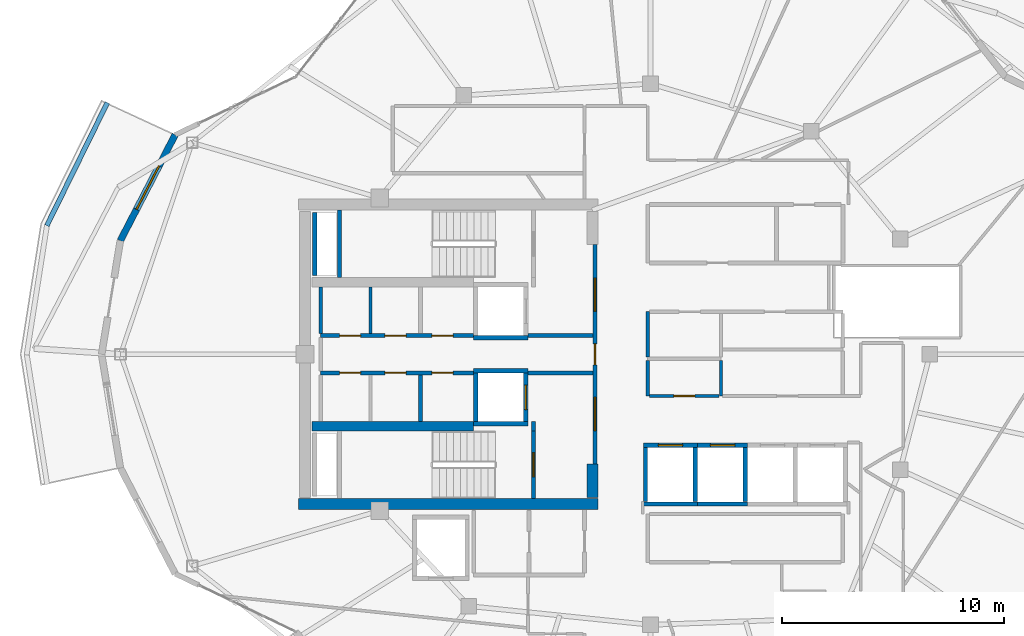
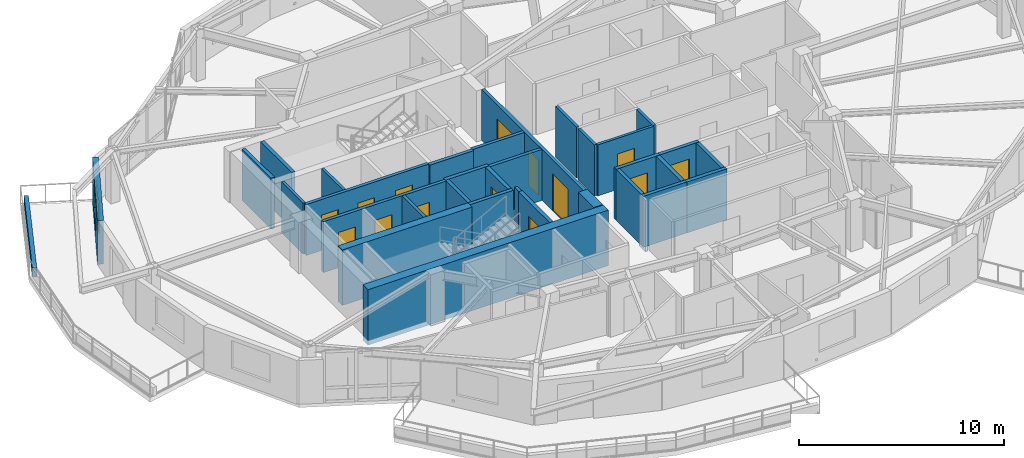
# One storey, part 7 of 14: 33 walls, 14 doors, 1 window, 15 openings.
"""IFC4 building model written with IfcOpenShell, lengths in metres."""

import ifcopenshell
import ifcopenshell.guid

model = None  # the IFC model being written
_history = None  # IfcOwnerHistory: only IFC2X3 demands one
_inside = {}  # id of a spatial element -> (the spatial element, [elements in it])
_under = {}  # id of a project, library or spatial element -> (it, [spatial elements below it])
_declared = {}  # id of a project -> (the project, [libraries it declares])
_typed = {}  # id of a type object -> (the type object, [elements of that type])
_made_of = {}  # id of a material, layer set ... -> (it, [elements and type objects made of it])


def new_model(schema):
    """Start an empty IFC model of exactly this schema.

    Asked for "IFC4X3", IfcOpenShell would pick the latest addendum, in which some entities
    have other attributes; the version numbers below select the first issue.
    IFC2X3 requires an IfcOwnerHistory on every rooted entity: one is made here for all.
    """
    global model, _history
    if schema == "IFC4X3":
        model = ifcopenshell.file(schema_version=(4, 3, 0, 0))
    else:
        model = ifcopenshell.file(schema=schema)
    _inside.clear()
    _under.clear()
    _declared.clear()
    _typed.clear()
    _made_of.clear()
    _history = None
    if model.schema == "IFC2X3":
        org = make("IfcOrganization", Name="unknown")
        user = make(
            "IfcPersonAndOrganization",
            ThePerson=make("IfcPerson", FamilyName="unknown"),
            TheOrganization=org,
        )
        app = make(
            "IfcApplication",
            ApplicationDeveloper=org,
            Version="unknown",
            ApplicationFullName="unknown",
            ApplicationIdentifier="unknown",
        )
        _history = make(
            "IfcOwnerHistory",
            OwningUser=user,
            OwningApplication=app,
            ChangeAction="ADDED",
            CreationDate=0,
        )
    return model


def make(cls, **values):
    """One entity of the class cls with the attributes given. An attribute that is None is left unset."""
    return model.create_entity(
        cls, **{name: value for name, value in values.items() if value is not None}
    )


def rooted(cls, **values):
    """An entity with a GlobalId (a new one), such as an element, a storey or a relation."""
    return make(cls, GlobalId=ifcopenshell.guid.new(), OwnerHistory=_history, **values)


def si_unit(unit_type, name, prefix=None):
    """IfcSIUnit, for example si_unit("LENGTHUNIT", "METRE", prefix="MILLI")."""
    return make("IfcSIUnit", UnitType=unit_type, Prefix=prefix, Name=name)


def assignment(units):
    """IfcUnitAssignment: the units of a project."""
    return None if units is None else make("IfcUnitAssignment", Units=units)


def point(xyz):
    """IfcCartesianPoint."""
    return None if xyz is None else make("IfcCartesianPoint", Coordinates=xyz)


def direction(xyz):
    """IfcDirection."""
    return None if xyz is None else make("IfcDirection", DirectionRatios=xyz)


def frame(location, z_axis=None, x_axis=None):
    """IfcAxis2Placement3D, a coordinate frame: its origin and axes. An axis left out is left unset."""
    return make(
        "IfcAxis2Placement3D",
        Location=point(location),
        Axis=direction(z_axis),
        RefDirection=direction(x_axis),
    )


def frame_2d(location, x_axis=None):
    """IfcAxis2Placement2D, a coordinate frame in the plane: its origin and x axis."""
    return make(
        "IfcAxis2Placement2D", Location=point(location), RefDirection=direction(x_axis)
    )


def origin():
    """The frame at (0, 0, 0) with its axes left unset."""
    return frame((0.0, 0.0, 0.0))


def place(relative_to, where):
    """IfcLocalPlacement: puts the frame where relative to a parent placement (None: the world)."""
    return make(
        "IfcLocalPlacement", PlacementRelTo=relative_to, RelativePlacement=where
    )


def context(
    kind, dimensions, precision=None, world=None, true_north=None, identifier=None
):
    """IfcGeometricRepresentationContext, for example the 3D "Model" context."""
    return make(
        "IfcGeometricRepresentationContext",
        ContextIdentifier=identifier,
        ContextType=kind,
        CoordinateSpaceDimension=dimensions,
        Precision=precision,
        WorldCoordinateSystem=world,
        TrueNorth=true_north,
    )


def subcontext(parent, identifier, kind, view, scale=None):
    """IfcGeometricRepresentationSubContext, for example "Body" below "Model"."""
    return make(
        "IfcGeometricRepresentationSubContext",
        ContextIdentifier=identifier,
        ContextType=kind,
        ParentContext=parent,
        TargetScale=scale,
        TargetView=view,
    )


def project(units=None, contexts=None):
    """IfcProject with its units and contexts."""
    return rooted(
        "IfcProject",
        Name="project",
        RepresentationContexts=contexts,
        UnitsInContext=assignment(units),
    )


def spatial(cls, under=None, at=None, **own):
    """A site, building, storey or space (cls), placed at a placement, below another one or the project."""
    s = rooted(cls, ObjectPlacement=at, **own)
    if under is not None:
        _under.setdefault(under.id(), (under, []))[1].append(s)
    return s


def profile(cls, at=None, kind="AREA", **sizes):
    """A parametric profile (cls). Its sizes go by their IFC names, for example OverallWidth=200.0."""
    return make(cls, ProfileType=kind, Position=at, **sizes)


def rectangle(**sizes):
    """IfcRectangleProfileDef."""
    return profile("IfcRectangleProfileDef", **sizes)


def extrude(swept, where, along, depth):
    """IfcExtrudedAreaSolid: the profile swept, set in the frame where, extruded along a direction by depth."""
    return make(
        "IfcExtrudedAreaSolid",
        SweptArea=swept,
        Position=where,
        ExtrudedDirection=direction(along),
        Depth=depth,
    )


def shape(context_of_items, identifier, shape_type, items):
    """IfcShapeRepresentation: the items that make up one representation, for example the "Body"."""
    return make(
        "IfcShapeRepresentation",
        ContextOfItems=context_of_items,
        RepresentationIdentifier=identifier,
        RepresentationType=shape_type,
        Items=items,
    )


def material(Name=None, Category=None):
    """IfcMaterial."""
    return make("IfcMaterial", Name=Name, Category=Category)


def layer(
    of_material, thickness, ventilated=None, Name=None, Category=None, Priority=None
):
    """IfcMaterialLayer: one layer of a wall or slab, of a material (None: an air gap)."""
    return make(
        "IfcMaterialLayer",
        Material=of_material,
        LayerThickness=thickness,
        IsVentilated=ventilated,
        Name=Name,
        Category=Category,
        Priority=Priority,
    )


def layer_set(layers, Name=None):
    """IfcMaterialLayerSet."""
    return make("IfcMaterialLayerSet", MaterialLayers=layers, LayerSetName=Name)


def made_of(thing, what):
    """Note that an element or type object is made of a material, layer set ...; save() writes the relation."""
    if what is not None:
        _made_of.setdefault(what.id(), (what, []))[1].append(thing)
    return thing


def type_object(cls, material=None, **own):
    """A type object (cls), such as IfcWallType, which elements share."""
    return made_of(rooted(cls, **own), material)


def element(
    cls,
    number,
    at=None,
    inside=None,
    cuts=None,
    type_object=None,
    material=None,
    context=None,
    identifier="Body",
    shape_type=None,
    held_by="IfcProductDefinitionShape",
    body=None,
    shapes=None,
    **own,
):
    """One element of the class cls, such as IfcWall. Its Tag is "e" and its number.

    at: its placement. inside: the storey or other place that contains it. cuts: it is an
    opening in that element (IfcRelVoidsElement). A single representation is given by context,
    identifier, shape_type and body (its items); several are given by shapes. held_by: the class
    of the entity that holds the representations. save() writes the other relations.
    """
    e = rooted(cls, Tag="e%d" % number, ObjectPlacement=at, **own)
    if body is not None:
        shapes = [shape(context, identifier, shape_type, body)]
    if shapes is not None:
        e.Representation = make(held_by, Representations=shapes)
    if inside is not None:
        _inside.setdefault(inside.id(), (inside, []))[1].append(e)
    if cuts is not None:
        rooted(
            "IfcRelVoidsElement", RelatingBuildingElement=cuts, RelatedOpeningElement=e
        )
    if type_object is not None:
        _typed.setdefault(type_object.id(), (type_object, []))[1].append(e)
    return made_of(e, material)


def fill(opening, filler):
    """IfcRelFillsElement: the door or window that sits in an opening."""
    return rooted(
        "IfcRelFillsElement",
        RelatingOpeningElement=opening,
        RelatedBuildingElement=filler,
    )


def aggregate(whole, parts):
    """IfcRelAggregates: a whole, such as a stair, and the parts it consists of."""
    return rooted("IfcRelAggregates", RelatingObject=whole, RelatedObjects=parts)


def save(model, path):
    """Write the relations noted so far, then the file.

    IfcRelAggregates (storeys below a building ...), IfcRelContainedInSpatialStructure (elements
    in a storey), IfcRelDefinesByType, IfcRelAssociatesMaterial and IfcRelDeclares: one each for
    every whole, place, type object, material and project.
    """
    for whole, parts in _under.values():
        aggregate(whole, parts)
    for where, things in _inside.values():
        rooted(
            "IfcRelContainedInSpatialStructure",
            RelatedElements=things,
            RelatingStructure=where,
        )
    for kind, things in _typed.values():
        rooted("IfcRelDefinesByType", RelatedObjects=things, RelatingType=kind)
    for what, things in _made_of.values():
        rooted("IfcRelAssociatesMaterial", RelatedObjects=things, RelatingMaterial=what)
    for by, libraries in _declared.values():
        rooted("IfcRelDeclares", RelatingContext=by, RelatedDefinitions=libraries)
    model.write(path)


model = new_model("IFC4")

# Units and contexts
model_context = context("Model", 3, precision=1e-05, world=origin(), true_north=direction((0.0, 1.0)))
body_context = subcontext(model_context, "Body", "Model", "MODEL_VIEW")
ifc_project = project(units=[si_unit("LENGTHUNIT", "METRE"), si_unit("AREAUNIT", "SQUARE_METRE"), si_unit("VOLUMEUNIT", "CUBIC_METRE"), si_unit("PLANEANGLEUNIT", "RADIAN"), si_unit("MASSUNIT", "GRAM", prefix="KILO")], contexts=[model_context])

# Site, building, storey
site_placement = place(None, origin())
site = spatial("IfcSite", under=ifc_project, at=site_placement, CompositionType="ELEMENT")
building_placement = place(site_placement, origin())
building = spatial("IfcBuilding", under=site, at=building_placement, Name="Kolvaren Gate Tower and Convention Centre", CompositionType="ELEMENT")
storey_placement = place(building_placement, frame((0.0, 0.0, 206.300048828125)))
storey = spatial("IfcBuildingStorey", under=building, at=storey_placement, Name="L54", CompositionType="ELEMENT", Elevation=206.300048828125)

# Wall
ifc_material_1 = material(Name="Autoclaved Aerated Masonry Blockwork Class 4 (4.0 MPa)", Category="masonry")
ifc_layer_1 = layer(ifc_material_1, 0.179931640625)
ifc_layer_set_1 = layer_set([ifc_layer_1], Name="Autoclaved Aerated Masonry Blockwork Class 4 (4.0 MPa)")
wall_type_1 = type_object("IfcWallType", Name="ARCH-WL-COMP-180", PredefinedType="SOLIDWALL", material=ifc_layer_set_1)
wall_1_placement = place(storey_placement, frame((24.85009765625, 23.5400390625, 0.0), z_axis=(0.0, 0.0, 1.0), x_axis=(0.0, 1.0, 0.0)))
element("IfcWall", 1, at=wall_1_placement, inside=storey, type_object=wall_type_1, Name="Interior Partition WL-L54-INT-001", PredefinedType="SOLIDWALL", context=body_context, shape_type="SweptSolid", body=[
    extrude(rectangle(XDim=0.419921875, YDim=0.179931640625, at=frame_2d((0.2099609375, 0.0))), origin(), (0.0, 0.0, 1.0), 3.030029296875),
])

# Wall, openings, doors
wall_2_placement = place(storey_placement, frame((27.6201171875, 22.050048828125, 0.0), z_axis=(0.0, 0.0, 1.0), x_axis=(0.0, 1.0, 0.0)))
wall_2 = element("IfcWall", 2, at=wall_2_placement, inside=storey, type_object=wall_type_1, Name="Interior Partition WL-L54-INT-003", PredefinedType="SOLIDWALL", context=body_context, shape_type="SweptSolid", body=[
    extrude(rectangle(XDim=9.89990234375, YDim=0.179931640625, at=frame_2d((4.949951171875, 0.0))), origin(), (0.0, 0.0, 1.0), 3.030029296875),
])
opening_1_placement = place(wall_2_placement, frame((4.47509765625, 0.0, 0.0)))
opening_1 = element("IfcOpeningElement", 3, at=opening_1_placement, cuts=wall_2, Name="Opening DR-01", PredefinedType="OPENING", context=body_context, shape_type="SweptSolid", body=[
    extrude(rectangle(XDim=0.949951171875, YDim=2.10009765625, at=frame_2d((0.47509765625, 1.050048828125))), frame((0.0, 0.099853515625, 0.0), z_axis=(0.0, -1.0, 0.0), x_axis=(1.0, 0.0, 0.0)), (0.0, 0.0, 1.0), 0.199951171875),
])
opening_2_placement = place(wall_2_placement, frame((6.889892578125, 0.0, 0.0)))
opening_2 = element("IfcOpeningElement", 4, at=opening_2_placement, cuts=wall_2, Name="Opening DL-01", PredefinedType="OPENING", context=body_context, shape_type="SweptSolid", body=[
    extrude(rectangle(XDim=1.5, YDim=2.199951171875, at=frame_2d((0.75, 1.10009765625))), frame((0.0, 0.099853515625, 0.0), z_axis=(0.0, -1.0, 0.0), x_axis=(1.0, 0.0, 0.0)), (0.0, 0.0, 1.0), 0.199951171875),
])
opening_3_placement = place(wall_2_placement, frame((1.510009765625, 0.0, 0.0)))
opening_3 = element("IfcOpeningElement", 5, at=opening_3_placement, cuts=wall_2, Name="Opening DL-01", PredefinedType="OPENING", context=body_context, shape_type="SweptSolid", body=[
    extrude(rectangle(XDim=1.5, YDim=2.199951171875, at=frame_2d((0.75, 1.10009765625))), frame((0.0, 0.099853515625, 0.0), z_axis=(0.0, -1.0, 0.0), x_axis=(1.0, 0.0, 0.0)), (0.0, 0.0, 1.0), 0.199951171875),
])
ifc_material_2 = material(Name="Painted Architectural Steelwork ASTM A500 Grade C 345 MPa", Category="steel")
door_type_1 = type_object("IfcDoorType", Name="ARCH-DR-LOBBY-1500", OperationType="DOUBLE_DOOR_SINGLE_SWING", PredefinedType="DOOR", material=ifc_material_2)
door_1_placement = place(opening_2_placement, origin())
door_1 = element("IfcDoor", 6, at=door_1_placement, inside=storey, type_object=door_type_1, Name="North Firefighting Stair and Lift Lobby Door", OperationType="DOUBLE_DOOR_SINGLE_SWING", OverallHeight=2.199951171875, OverallWidth=1.5, PredefinedType="DOOR", context=body_context, shape_type="SweptSolid", body=[
    extrude(rectangle(XDim=1.5, YDim=2.199951171875, at=frame_2d((0.75, 1.10009765625))), frame((0.0, 0.02490234375, 0.0), z_axis=(0.0, -1.0, 0.0), x_axis=(1.0, 0.0, 0.0)), (0.0, 0.0, 1.0), 0.050048828125),
])
fill(opening_2, door_1)
door_2_placement = place(opening_3_placement, origin())
door_2 = element("IfcDoor", 7, at=door_2_placement, inside=storey, type_object=door_type_1, Name="South Firefighting Stair and Lift Lobby Door", OperationType="DOUBLE_DOOR_SINGLE_SWING", OverallHeight=2.199951171875, OverallWidth=1.5, PredefinedType="DOOR", context=body_context, shape_type="SweptSolid", body=[
    extrude(rectangle(XDim=1.5, YDim=2.199951171875, at=frame_2d((0.75, 1.10009765625))), frame((0.0, 0.02490234375, 0.0), z_axis=(0.0, -1.0, 0.0), x_axis=(1.0, 0.0, 0.0)), (0.0, 0.0, 1.0), 0.050048828125),
])
fill(opening_3, door_2)
door_type_2 = type_object("IfcDoorType", Name="ARCH-DR-RISER-950", OperationType="SINGLE_SWING_RIGHT", PredefinedType="DOOR", material=ifc_material_2)
door_3_placement = place(opening_1_placement, origin())
door_3 = element("IfcDoor", 8, at=door_3_placement, inside=storey, type_object=door_type_2, Name="Central MEP Service Corridor Door", OperationType="SINGLE_SWING_RIGHT", OverallHeight=2.10009765625, OverallWidth=0.949951171875, PredefinedType="DOOR", context=body_context, shape_type="SweptSolid", body=[
    extrude(rectangle(XDim=0.949951171875, YDim=2.10009765625, at=frame_2d((0.47509765625, 1.050048828125))), frame((0.0, 0.02490234375, 0.0), z_axis=(0.0, -1.0, 0.0), x_axis=(1.0, 0.0, 0.0)), (0.0, 0.0, 1.0), 0.050048828125),
])
fill(opening_1, door_3)

wall_3_placement = place(storey_placement, frame((15.25, 27.840087890625, 0.0), z_axis=(0.0, 0.0, 1.0), x_axis=(1.0, 0.0, 0.0)))
wall_3 = element("IfcWall", 9, at=wall_3_placement, inside=storey, type_object=wall_type_1, Name="Interior Partition WL-L54-INT-004", PredefinedType="SOLIDWALL", context=body_context, shape_type="SweptSolid", body=[
    extrude(rectangle(XDim=6.89990234375, YDim=0.179931640625, at=frame_2d((3.449951171875, 0.0))), origin(), (0.0, 0.0, 1.0), 3.030029296875),
])
opening_4_placement = place(wall_3_placement, frame((5.02001953125, 0.0, 0.0)))
opening_4 = element("IfcOpeningElement", 10, at=opening_4_placement, cuts=wall_3, Name="Opening DR-01", PredefinedType="OPENING", context=body_context, shape_type="SweptSolid", body=[
    extrude(rectangle(XDim=0.949951171875, YDim=2.10009765625, at=frame_2d((0.47509765625, 1.050048828125))), frame((0.0, 0.099853515625, 0.0), z_axis=(0.0, -1.0, 0.0), x_axis=(1.0, 0.0, 0.0)), (0.0, 0.0, 1.0), 0.199951171875),
])
opening_5_placement = place(wall_3_placement, frame((0.85498046875, 0.0, 0.0)))
opening_5 = element("IfcOpeningElement", 11, at=opening_5_placement, cuts=wall_3, Name="Opening DR-01", PredefinedType="OPENING", context=body_context, shape_type="SweptSolid", body=[
    extrude(rectangle(XDim=0.949951171875, YDim=2.10009765625, at=frame_2d((0.47509765625, 1.050048828125))), frame((0.0, 0.099853515625, 0.0), z_axis=(0.0, -1.0, 0.0), x_axis=(1.0, 0.0, 0.0)), (0.0, 0.0, 1.0), 0.199951171875),
])
opening_6_placement = place(wall_3_placement, frame((2.89990234375, 0.0, 0.0)))
opening_6 = element("IfcOpeningElement", 12, at=opening_6_placement, cuts=wall_3, Name="Opening DR-01", PredefinedType="OPENING", context=body_context, shape_type="SweptSolid", body=[
    extrude(rectangle(XDim=0.949951171875, YDim=2.10009765625, at=frame_2d((0.47509765625, 1.050048828125))), frame((0.0, 0.099853515625, 0.0), z_axis=(0.0, -1.0, 0.0), x_axis=(1.0, 0.0, 0.0)), (0.0, 0.0, 1.0), 0.199951171875),
])
door_4_placement = place(opening_4_placement, origin())
door_4 = element("IfcDoor", 13, at=door_4_placement, inside=storey, type_object=door_type_2, Name="Electrical Switchgear Closet Door", OperationType="SINGLE_SWING_LEFT", OverallHeight=2.10009765625, OverallWidth=0.949951171875, PredefinedType="DOOR", context=body_context, shape_type="SweptSolid", body=[
    extrude(rectangle(XDim=0.949951171875, YDim=2.10009765625, at=frame_2d((0.47509765625, 1.050048828125))), frame((0.0, 0.02490234375, 0.0), z_axis=(0.0, -1.0, 0.0), x_axis=(1.0, 0.0, 0.0)), (0.0, 0.0, 1.0), 0.050048828125),
])
fill(opening_4, door_4)
door_5_placement = place(opening_5_placement, origin())
door_5 = element("IfcDoor", 14, at=door_5_placement, inside=storey, type_object=door_type_2, Name="Staff Accessible WC Door", OperationType="SINGLE_SWING_LEFT", OverallHeight=2.10009765625, OverallWidth=0.949951171875, PredefinedType="DOOR", context=body_context, shape_type="SweptSolid", body=[
    extrude(rectangle(XDim=0.949951171875, YDim=2.10009765625, at=frame_2d((0.47509765625, 1.050048828125))), frame((0.0, 0.02490234375, 0.0), z_axis=(0.0, -1.0, 0.0), x_axis=(1.0, 0.0, 0.0)), (0.0, 0.0, 1.0), 0.050048828125),
])
fill(opening_5, door_5)
door_6_placement = place(opening_6_placement, origin())
door_6 = element("IfcDoor", 15, at=door_6_placement, inside=storey, type_object=door_type_2, Name="Housekeeping Sink Closet Door", OperationType="SINGLE_SWING_RIGHT", OverallHeight=2.10009765625, OverallWidth=0.949951171875, PredefinedType="DOOR", context=body_context, shape_type="SweptSolid", body=[
    extrude(rectangle(XDim=0.949951171875, YDim=2.10009765625, at=frame_2d((0.47509765625, 1.050048828125))), frame((0.0, 0.02490234375, 0.0), z_axis=(0.0, -1.0, 0.0), x_axis=(1.0, 0.0, 0.0)), (0.0, 0.0, 1.0), 0.050048828125),
])
fill(opening_6, door_6)

# Wall
wall_4_placement = place(storey_placement, frame((24.60009765625, 27.840087890625, 0.0), z_axis=(0.0, 0.0, 1.0), x_axis=(1.0, 0.0, 0.0)))
element("IfcWall", 16, at=wall_4_placement, inside=storey, type_object=wall_type_1, Name="Interior Partition WL-L54-INT-004 (2)", PredefinedType="SOLIDWALL", context=body_context, shape_type="SweptSolid", body=[
    extrude(rectangle(XDim=2.927978515625, YDim=0.179931640625, at=frame_2d((1.4638671875, 0.0))), origin(), (0.0, 0.0, 1.0), 3.030029296875),
])

# Wall, openings, doors
wall_5_placement = place(storey_placement, frame((15.25, 26.159912109375, 0.0), z_axis=(0.0, 0.0, 1.0), x_axis=(1.0, 0.0, 0.0)))
wall_5 = element("IfcWall", 17, at=wall_5_placement, inside=storey, type_object=wall_type_1, Name="Interior Partition WL-L54-INT-005", PredefinedType="SOLIDWALL", context=body_context, shape_type="SweptSolid", body=[
    extrude(rectangle(XDim=6.89990234375, YDim=0.179931640625, at=frame_2d((3.449951171875, 0.0))), origin(), (0.0, 0.0, 1.0), 3.030029296875),
])
opening_7_placement = place(wall_5_placement, frame((5.02001953125, 0.0, 0.0)))
opening_7 = element("IfcOpeningElement", 18, at=opening_7_placement, cuts=wall_5, Name="Opening DR-01", PredefinedType="OPENING", context=body_context, shape_type="SweptSolid", body=[
    extrude(rectangle(XDim=0.949951171875, YDim=2.10009765625, at=frame_2d((0.47509765625, 1.050048828125))), frame((0.0, 0.099853515625, 0.0), z_axis=(0.0, -1.0, 0.0), x_axis=(1.0, 0.0, 0.0)), (0.0, 0.0, 1.0), 0.199951171875),
])
opening_8_placement = place(wall_5_placement, frame((0.85498046875, 0.0, 0.0)))
opening_8 = element("IfcOpeningElement", 19, at=opening_8_placement, cuts=wall_5, Name="Opening DR-01", PredefinedType="OPENING", context=body_context, shape_type="SweptSolid", body=[
    extrude(rectangle(XDim=0.949951171875, YDim=2.10009765625, at=frame_2d((0.47509765625, 1.050048828125))), frame((0.0, 0.099853515625, 0.0), z_axis=(0.0, -1.0, 0.0), x_axis=(1.0, 0.0, 0.0)), (0.0, 0.0, 1.0), 0.199951171875),
])
opening_9_placement = place(wall_5_placement, frame((2.89990234375, 0.0, 0.0)))
opening_9 = element("IfcOpeningElement", 20, at=opening_9_placement, cuts=wall_5, Name="Opening DR-01", PredefinedType="OPENING", context=body_context, shape_type="SweptSolid", body=[
    extrude(rectangle(XDim=0.949951171875, YDim=2.10009765625, at=frame_2d((0.47509765625, 1.050048828125))), frame((0.0, 0.099853515625, 0.0), z_axis=(0.0, -1.0, 0.0), x_axis=(1.0, 0.0, 0.0)), (0.0, 0.0, 1.0), 0.199951171875),
])
door_7_placement = place(opening_7_placement, origin())
door_7 = element("IfcDoor", 21, at=door_7_placement, inside=storey, type_object=door_type_2, Name="Domestic Water Meter Closet Door", OperationType="SINGLE_SWING_RIGHT", OverallHeight=2.10009765625, OverallWidth=0.949951171875, PredefinedType="DOOR", context=body_context, shape_type="SweptSolid", body=[
    extrude(rectangle(XDim=0.949951171875, YDim=2.10009765625, at=frame_2d((0.47509765625, 1.050048828125))), frame((0.0, 0.02490234375, 0.0), z_axis=(0.0, -1.0, 0.0), x_axis=(1.0, 0.0, 0.0)), (0.0, 0.0, 1.0), 0.050048828125),
])
fill(opening_7, door_7)
door_8_placement = place(opening_8_placement, origin())
door_8 = element("IfcDoor", 22, at=door_8_placement, inside=storey, type_object=door_type_2, Name="Beverage Service Pantry Door", OperationType="SINGLE_SWING_LEFT", OverallHeight=2.10009765625, OverallWidth=0.949951171875, PredefinedType="DOOR", context=body_context, shape_type="SweptSolid", body=[
    extrude(rectangle(XDim=0.949951171875, YDim=2.10009765625, at=frame_2d((0.47509765625, 1.050048828125))), frame((0.0, 0.02490234375, 0.0), z_axis=(0.0, -1.0, 0.0), x_axis=(1.0, 0.0, 0.0)), (0.0, 0.0, 1.0), 0.050048828125),
])
fill(opening_8, door_8)
door_9_placement = place(opening_9_placement, origin())
door_9 = element("IfcDoor", 23, at=door_9_placement, inside=storey, type_object=door_type_2, Name="Archive Supply Closet Door", OperationType="SINGLE_SWING_RIGHT", OverallHeight=2.10009765625, OverallWidth=0.949951171875, PredefinedType="DOOR", context=body_context, shape_type="SweptSolid", body=[
    extrude(rectangle(XDim=0.949951171875, YDim=2.10009765625, at=frame_2d((0.47509765625, 1.050048828125))), frame((0.0, 0.02490234375, 0.0), z_axis=(0.0, -1.0, 0.0), x_axis=(1.0, 0.0, 0.0)), (0.0, 0.0, 1.0), 0.050048828125),
])
fill(opening_9, door_9)

# Walls
wall_6_placement = place(storey_placement, frame((24.60009765625, 26.159912109375, 0.0), z_axis=(0.0, 0.0, 1.0), x_axis=(1.0, 0.0, 0.0)))
element("IfcWall", 24, at=wall_6_placement, inside=storey, type_object=wall_type_1, Name="Interior Partition WL-L54-INT-005 (2)", PredefinedType="SOLIDWALL", context=body_context, shape_type="SweptSolid", body=[
    extrude(rectangle(XDim=2.927978515625, YDim=0.179931640625, at=frame_2d((1.4638671875, 0.0))), origin(), (0.0, 0.0, 1.0), 3.030029296875),
])
wall_7_placement = place(storey_placement, frame((19.75, 23.9619140625, 0.0), z_axis=(0.0, 0.0, 1.0), x_axis=(0.0, 1.0, 0.0)))
element("IfcWall", 25, at=wall_7_placement, inside=storey, type_object=wall_type_1, Name="Interior Partition WL-L54-INT-007", PredefinedType="SOLIDWALL", context=body_context, shape_type="SweptSolid", body=[
    extrude(rectangle(XDim=2.106201171875, YDim=0.179931640625, at=frame_2d((1.05322265625, 0.0))), origin(), (0.0, 0.0, 1.0), 3.030029296875),
])
ifc_material_3 = material(Name="Piedmont Cream Honed Limestone Cladding", Category="masonry")
ifc_layer_2 = layer(ifc_material_3, 0.219970703125)
ifc_layer_set_2 = layer_set([ifc_layer_2], Name="Piedmont Cream Honed Limestone Cladding")
wall_type_2 = type_object("IfcWallType", Name="ARCH-WL-PLANTER-220", PredefinedType="PARAPET", material=ifc_layer_set_2)
wall_8_placement = place(storey_placement, frame((2.905517578125, 32.8037109375, 0.0), z_axis=(0.0, 0.0, 1.0), x_axis=(0.441640961804, 0.897191875162, 0.0)))
element("IfcWall", 26, at=wall_8_placement, inside=storey, type_object=wall_type_2, Name="Vertical-Forest Balcony Stone Planter Kerb PK-L54-2.1", PredefinedType="PARAPET", context=body_context, shape_type="SweptSolid", body=[
    extrude(rectangle(XDim=6.17822265625, YDim=0.219970703125, at=frame_2d((3.089111328125, 0.0))), origin(), (0.0, 0.0, 1.0), 0.52001953125),
])
ifc_layer_3 = layer(ifc_material_1, 0.199951171875)
ifc_layer_set_3 = layer_set([ifc_layer_3], Name="Autoclaved Aerated Masonry Blockwork Class 4 (4.0 MPa)")
wall_type_3 = type_object("IfcWallType", Name="ARCH-WL-SHAFT-200", PredefinedType="SOLIDWALL", material=ifc_layer_set_3)
for number, where, z_axis, x_axis, name in (
    (27, (22.14990234375, 27.739990234375, 0.0), (0.0, 0.0, 1.0), (1.0, 0.0, 0.0), "Elevator FF-01 L54 Fire Shaft Wall S"),
    (28, (22.14990234375, 26.260009765625, 0.0), (0.0, 0.0, 1.0), (1.0, 0.0, 0.0), "Elevator FF-02 L54 Fire Shaft Wall N"),
    (29, (22.14990234375, 23.860107421875, 0.0), (0.0, 0.0, 1.0), (1.0, 0.0, 0.0), "Elevator FF-02 L54 Fire Shaft Wall S"),
):
    element("IfcWall", number, at=place(storey_placement, frame(where, z_axis=z_axis, x_axis=x_axis)), inside=storey, type_object=wall_type_3, Name=name, PredefinedType="SOLIDWALL", context=body_context, shape_type="SweptSolid", body=[
        extrude(rectangle(XDim=2.4501953125, YDim=0.199951171875, at=frame_2d((1.22509765625, 0.0))), origin(), (0.0, 0.0, 1.0), 3.030029296875),
    ])
wall_9_placement = place(storey_placement, frame((22.25, 23.969970703125, 0.0), z_axis=(0.0, 0.0, 1.0), x_axis=(0.0, 1.0, 0.0)))
element("IfcWall", 30, at=wall_9_placement, inside=storey, type_object=wall_type_3, Name="Elevator FF-02 L54 Fire Shaft Wall W", PredefinedType="SOLIDWALL", context=body_context, shape_type="SweptSolid", body=[
    extrude(rectangle(XDim=2.179931640625, YDim=0.199951171875, at=frame_2d((1.08984375, 0.0))), origin(), (0.0, 0.0, 1.0), 3.030029296875),
])

# Wall, opening, door
wall_10_placement = place(storey_placement, frame((24.5, 23.969970703125, 0.0), z_axis=(0.0, 0.0, 1.0), x_axis=(0.0, 1.0, 0.0)))
wall_10 = element("IfcWall", 31, at=wall_10_placement, inside=storey, type_object=wall_type_3, Name="Elevator FF-02 L54 Fire Shaft Wall E", PredefinedType="SOLIDWALL", context=body_context, shape_type="SweptSolid", body=[
    extrude(rectangle(XDim=2.179931640625, YDim=0.199951171875, at=frame_2d((1.08984375, 0.0))), origin(), (0.0, 0.0, 1.0), 3.030029296875),
])
opening_10_placement = place(wall_10_placement, frame((0.5400390625, 0.0, 0.0)))
opening_10 = element("IfcOpeningElement", 32, at=opening_10_placement, cuts=wall_10, Name="Opening LD", PredefinedType="OPENING", context=body_context, shape_type="SweptSolid", body=[
    extrude(rectangle(XDim=1.10009765625, YDim=2.199951171875, at=frame_2d((0.550048828125, 1.10009765625))), frame((0.0, 0.10986328125, 0.0), z_axis=(0.0, -1.0, 0.0), x_axis=(1.0, 0.0, 0.0)), (0.0, 0.0, 1.0), 0.219970703125),
])
ifc_material_4 = material(Name="Brushed Stainless Steel Grade 316L", Category="steel")
door_type_3 = type_object("IfcDoorType", Name="ARCH-DR-LIFT-1100", OperationType="SLIDING_TO_LEFT", PredefinedType="DOOR", material=ifc_material_4)
door_10_placement = place(opening_10_placement, origin())
door_10 = element("IfcDoor", 33, at=door_10_placement, inside=storey, type_object=door_type_3, Name="Elevator FF-02 L54 Sliding Landing Door", OperationType="SLIDING_TO_LEFT", OverallHeight=2.199951171875, OverallWidth=1.10009765625, PredefinedType="DOOR", context=body_context, shape_type="SweptSolid", body=[
    extrude(rectangle(XDim=1.10009765625, YDim=2.199951171875, at=frame_2d((0.550048828125, 1.10009765625))), frame((0.0, 0.02490234375, 0.0), z_axis=(0.0, -1.0, 0.0), x_axis=(1.0, 0.0, 0.0)), (0.0, 0.0, 1.0), 0.050048828125),
])
fill(opening_10, door_10)

wall_11_placement = place(storey_placement, frame((29.800048828125, 22.89990234375, 0.0), z_axis=(0.0, 0.0, 1.0), x_axis=(1.0, 0.0, 0.0)))
wall_11 = element("IfcWall", 34, at=wall_11_placement, inside=storey, type_object=wall_type_3, Name="Elevator PL-09 L54 Fire Shaft Wall N", PredefinedType="SOLIDWALL", context=body_context, shape_type="SweptSolid", body=[
    extrude(rectangle(XDim=2.449951171875, YDim=0.199951171875, at=frame_2d((1.22509765625, 0.0))), origin(), (0.0, 0.0, 1.0), 3.030029296875),
])
opening_11_placement = place(wall_11_placement, frame((0.675048828125, 0.0, 0.0)))
opening_11 = element("IfcOpeningElement", 35, at=opening_11_placement, cuts=wall_11, Name="Opening LD", PredefinedType="OPENING", context=body_context, shape_type="SweptSolid", body=[
    extrude(rectangle(XDim=1.10009765625, YDim=2.199951171875, at=frame_2d((0.550048828125, 1.10009765625))), frame((0.0, 0.10986328125, 0.0), z_axis=(0.0, -1.0, 0.0), x_axis=(1.0, 0.0, 0.0)), (0.0, 0.0, 1.0), 0.219970703125),
])
door_11_placement = place(opening_11_placement, origin())
door_11 = element("IfcDoor", 36, at=door_11_placement, inside=storey, type_object=door_type_3, Name="Elevator PL-09 L54 Sliding Landing Door", OperationType="SLIDING_TO_LEFT", OverallHeight=2.199951171875, OverallWidth=1.10009765625, PredefinedType="DOOR", context=body_context, shape_type="SweptSolid", body=[
    extrude(rectangle(XDim=1.10009765625, YDim=2.199951171875, at=frame_2d((0.550048828125, 1.10009765625))), frame((0.0, 0.02490234375, 0.0), z_axis=(0.0, -1.0, 0.0), x_axis=(1.0, 0.0, 0.0)), (0.0, 0.0, 1.0), 0.050048828125),
])
fill(opening_11, door_11)

# Walls
wall_12_placement = place(storey_placement, frame((29.800048828125, 20.25, 0.0), z_axis=(0.0, 0.0, 1.0), x_axis=(1.0, 0.0, 0.0)))
element("IfcWall", 37, at=wall_12_placement, inside=storey, type_object=wall_type_3, Name="Elevator PL-09 L54 Fire Shaft Wall S", PredefinedType="SOLIDWALL", context=body_context, shape_type="SweptSolid", body=[
    extrude(rectangle(XDim=2.449951171875, YDim=0.199951171875, at=frame_2d((1.22509765625, 0.0))), origin(), (0.0, 0.0, 1.0), 3.030029296875),
])
for number, where, z_axis, x_axis, name in (
    (38, (29.89990234375, 20.360107421875, 0.0), (0.0, 0.0, 1.0), (0.0, 1.0, 0.0), "Elevator PL-09 L54 Fire Shaft Wall W"),
    (39, (32.14990234375, 20.360107421875, 0.0), (0.0, 0.0, 1.0), (0.0, 1.0, 0.0), "Elevator PL-09 L54 Fire Shaft Wall E"),
):
    element("IfcWall", number, at=place(storey_placement, frame(where, z_axis=z_axis, x_axis=x_axis)), inside=storey, type_object=wall_type_3, Name=name, PredefinedType="SOLIDWALL", context=body_context, shape_type="SweptSolid", body=[
        extrude(rectangle(XDim=2.429931640625, YDim=0.199951171875, at=frame_2d((1.21484375, 0.0))), origin(), (0.0, 0.0, 1.0), 3.030029296875),
    ])

# Wall, opening, door
wall_13_placement = place(storey_placement, frame((32.25, 22.89990234375, 0.0), z_axis=(0.0, 0.0, 1.0), x_axis=(1.0, 0.0, 0.0)))
wall_13 = element("IfcWall", 40, at=wall_13_placement, inside=storey, type_object=wall_type_3, Name="Elevator PL-10 L54 Fire Shaft Wall N", PredefinedType="SOLIDWALL", context=body_context, shape_type="SweptSolid", body=[
    extrude(rectangle(XDim=2.25, YDim=0.199951171875, at=frame_2d((1.125, 0.0))), origin(), (0.0, 0.0, 1.0), 3.030029296875),
])
opening_12_placement = place(wall_13_placement, frame((0.574951171875, 0.0, 0.0)))
opening_12 = element("IfcOpeningElement", 41, at=opening_12_placement, cuts=wall_13, Name="Opening LD", PredefinedType="OPENING", context=body_context, shape_type="SweptSolid", body=[
    extrude(rectangle(XDim=1.10009765625, YDim=2.199951171875, at=frame_2d((0.550048828125, 1.10009765625))), frame((0.0, 0.10986328125, 0.0), z_axis=(0.0, -1.0, 0.0), x_axis=(1.0, 0.0, 0.0)), (0.0, 0.0, 1.0), 0.219970703125),
])
door_12_placement = place(opening_12_placement, origin())
door_12 = element("IfcDoor", 42, at=door_12_placement, inside=storey, type_object=door_type_3, Name="Elevator PL-10 L54 Sliding Landing Door", OperationType="SLIDING_TO_LEFT", OverallHeight=2.199951171875, OverallWidth=1.10009765625, PredefinedType="DOOR", context=body_context, shape_type="SweptSolid", body=[
    extrude(rectangle(XDim=1.10009765625, YDim=2.199951171875, at=frame_2d((0.550048828125, 1.10009765625))), frame((0.0, 0.02490234375, 0.0), z_axis=(0.0, -1.0, 0.0), x_axis=(1.0, 0.0, 0.0)), (0.0, 0.0, 1.0), 0.050048828125),
])
fill(opening_12, door_12)

# Walls
wall_14_placement = place(storey_placement, frame((32.25, 20.25, 0.0), z_axis=(0.0, 0.0, 1.0), x_axis=(1.0, 0.0, 0.0)))
element("IfcWall", 43, at=wall_14_placement, inside=storey, type_object=wall_type_3, Name="Elevator PL-10 L54 Fire Shaft Wall S", PredefinedType="SOLIDWALL", context=body_context, shape_type="SweptSolid", body=[
    extrude(rectangle(XDim=2.25, YDim=0.199951171875, at=frame_2d((1.125, 0.0))), origin(), (0.0, 0.0, 1.0), 3.030029296875),
])
wall_15_placement = place(storey_placement, frame((34.39990234375, 20.360107421875, 0.0), z_axis=(0.0, 0.0, 1.0), x_axis=(0.0, 1.0, 0.0)))
element("IfcWall", 44, at=wall_15_placement, inside=storey, type_object=wall_type_3, Name="Elevator PL-10 L54 Fire Shaft Wall E", PredefinedType="SOLIDWALL", context=body_context, shape_type="SweptSolid", body=[
    extrude(rectangle(XDim=2.429931640625, YDim=0.199951171875, at=frame_2d((1.21484375, 0.0))), origin(), (0.0, 0.0, 1.0), 3.030029296875),
])
wall_16_placement = place(storey_placement, frame((14.989990234375, 30.550048828125, 0.0), z_axis=(0.0, 0.0, 1.0), x_axis=(0.0, 1.0, 0.0)))
element("IfcWall", 45, at=wall_16_placement, inside=storey, type_object=wall_type_3, Name="Vertical Shaft HVR L54 EI-120 Enclosure Wall W", PredefinedType="SOLIDWALL", context=body_context, shape_type="SweptSolid", body=[
    extrude(rectangle(XDim=2.849853515625, YDim=0.199951171875, at=frame_2d((1.4248046875, 0.0))), origin(), (0.0, 0.0, 1.0), 3.030029296875),
])

# Wall, opening, window
ifc_layer_4 = layer(ifc_material_3, 0.300048828125)
ifc_layer_set_4 = layer_set([ifc_layer_4], Name="Piedmont Cream Honed Limestone Cladding")
wall_type_4 = type_object("IfcWallType", Name="ARCH-WL-STONE-300", PredefinedType="SOLIDWALL", material=ifc_layer_set_4)
wall_17_placement = place(storey_placement, frame((6.21826171875, 32.12451171875, 0.0), z_axis=(0.0, 0.0, 1.0), x_axis=(0.459808219482, 0.888018243786, 0.0)))
wall_17 = element("IfcWall", 46, at=wall_17_placement, inside=storey, type_object=wall_type_4, Name="Tower L54 Honed Stone Spandrel Wall EW-10", PredefinedType="SOLIDWALL", context=body_context, shape_type="SweptSolid", body=[
    extrude(rectangle(XDim=5.377685546875, YDim=0.300048828125, at=frame_2d((2.68896484375, 0.0))), origin(), (0.0, 0.0, 1.0), 2.60498046875),
])
opening_13_placement = place(wall_17_placement, frame((1.589111328125, 0.0, 0.719970703125)))
opening_13 = element("IfcOpeningElement", 47, at=opening_13_placement, cuts=wall_17, Name="Opening W-03", PredefinedType="OPENING", context=body_context, shape_type="SweptSolid", body=[
    extrude(rectangle(XDim=2.199951171875, YDim=1.64990234375, at=frame_2d((1.10009765625, 0.824951171875))), frame((0.0, 0.159912109375, 0.0), z_axis=(0.0, -1.0, 0.0), x_axis=(1.0, 0.0, 0.0)), (0.0, 0.0, 1.0), 0.320068359375),
])
ifc_material_5 = material(Name="Low-E Triple Insulated Glazing Unit 44 mm", Category="glass")
window_type = type_object("IfcWindowType", Name="ARCH-WN-RES-2200", PartitioningType="SINGLE_PANEL", PredefinedType="WINDOW", material=ifc_material_5)
window_placement = place(opening_13_placement, origin())
window = element("IfcWindow", 48, at=window_placement, inside=storey, type_object=window_type, Name="Tower L54 Punched Stone Facade Window W-10", OverallHeight=1.64990234375, OverallWidth=2.199951171875, PartitioningType="SINGLE_PANEL", PredefinedType="WINDOW", context=body_context, shape_type="SweptSolid", body=[
    extrude(rectangle(XDim=2.199951171875, YDim=1.64990234375, at=frame_2d((1.10009765625, 0.824951171875))), frame((0.0, 0.030029296875, 0.0), z_axis=(0.0, -1.0, 0.0), x_axis=(1.0, 0.0, 0.0)), (0.0, 0.0, 1.0), 0.06005859375),
])
fill(opening_13, window)

# Walls
ifc_material_6 = material(Name="Moisture-Resistant Cement-Board Acoustic Partition", Category="gypsum")
ifc_layer_5 = layer(ifc_material_6, 0.14990234375)
ifc_layer_set_5 = layer_set([ifc_layer_5], Name="Moisture-Resistant Cement-Board Acoustic Partition")
wall_type_5 = type_object("IfcWallType", Name="ARCH-WL-WET-150", PredefinedType="PARTITIONING", material=ifc_layer_set_5)
for number, where, z_axis, x_axis, name in (
    (49, (15.25, 27.931884765625, 0.0), (0.0, 0.0, 1.0), (0.0, 1.0, 0.0), "Interior Partition WL-L54-INT-006 (3)"),
    (50, (17.5, 27.931884765625, 0.0), (0.0, 0.0, 1.0), (0.0, 1.0, 0.0), "Interior Partition WL-L54-INT-010"),
):
    element("IfcWall", number, at=place(storey_placement, frame(where, z_axis=z_axis, x_axis=x_axis)), inside=storey, type_object=wall_type_5, Name=name, PredefinedType="PARTITIONING", context=body_context, shape_type="SweptSolid", body=[
        extrude(rectangle(XDim=2.106201171875, YDim=0.14990234375, at=frame_2d((1.05322265625, 0.0))), origin(), (0.0, 0.0, 1.0), 3.030029296875),
    ])
wall_18_placement = place(storey_placement, frame((30.0, 25.1201171875, 0.0), z_axis=(0.0, 0.0, 1.0), x_axis=(0.0, 1.0, 0.0)))
element("IfcWall", 51, at=wall_18_placement, inside=storey, type_object=wall_type_5, Name="Interior Partition WL-L54-INT-019", PredefinedType="PARTITIONING", context=body_context, shape_type="SweptSolid", body=[
    extrude(rectangle(XDim=1.602783203125, YDim=0.14990234375, at=frame_2d((0.80126953125, 0.0))), origin(), (0.0, 0.0, 1.0), 3.030029296875),
])
wall_19_placement = place(storey_placement, frame((30.0, 26.876953125, 0.0), z_axis=(0.0, 0.0, 1.0), x_axis=(0.0, 1.0, 0.0)))
element("IfcWall", 52, at=wall_19_placement, inside=storey, type_object=wall_type_5, Name="Interior Partition WL-L54-INT-019 (2)", PredefinedType="PARTITIONING", context=body_context, shape_type="SweptSolid", body=[
    extrude(rectangle(XDim=2.04296875, YDim=0.14990234375, at=frame_2d((1.021484375, 0.0))), origin(), (0.0, 0.0, 1.0), 3.030029296875),
])
wall_20_placement = place(storey_placement, frame((33.300048828125, 25.1201171875, 0.0), z_axis=(0.0, 0.0, 1.0), x_axis=(0.0, 1.0, 0.0)))
element("IfcWall", 53, at=wall_20_placement, inside=storey, type_object=wall_type_5, Name="Interior Partition WL-L54-INT-023", PredefinedType="PARTITIONING", context=body_context, shape_type="SweptSolid", body=[
    extrude(rectangle(XDim=1.602783203125, YDim=0.14990234375, at=frame_2d((0.80126953125, 0.0))), origin(), (0.0, 0.0, 1.0), 3.030029296875),
])

# Wall, opening, door
wall_21_placement = place(storey_placement, frame((30.076904296875, 25.1201171875, 0.0), z_axis=(0.0, 0.0, 1.0), x_axis=(1.0, 0.0, 0.0)))
wall_21 = element("IfcWall", 54, at=wall_21_placement, inside=storey, type_object=wall_type_5, Name="Interior Partition WL-L54-INT-024", PredefinedType="PARTITIONING", context=body_context, shape_type="SweptSolid", body=[
    extrude(rectangle(XDim=3.14599609375, YDim=0.14990234375, at=frame_2d((1.572998046875, 0.0))), origin(), (0.0, 0.0, 1.0), 3.030029296875),
])
opening_14_placement = place(wall_21_placement, frame((1.097900390625, 0.0, 0.0)))
opening_14 = element("IfcOpeningElement", 55, at=opening_14_placement, cuts=wall_21, Name="Opening DR-01", PredefinedType="OPENING", context=body_context, shape_type="SweptSolid", body=[
    extrude(rectangle(XDim=0.949951171875, YDim=2.10009765625, at=frame_2d((0.47509765625, 1.050048828125))), frame((0.0, 0.0849609375, 0.0), z_axis=(0.0, -1.0, 0.0), x_axis=(1.0, 0.0, 0.0)), (0.0, 0.0, 1.0), 0.169921875),
])
door_13_placement = place(opening_14_placement, origin())
door_13 = element("IfcDoor", 56, at=door_13_placement, inside=storey, type_object=door_type_2, Name="South Visitor Washroom Door", OperationType="SINGLE_SWING_LEFT", OverallHeight=2.10009765625, OverallWidth=0.949951171875, PredefinedType="DOOR", context=body_context, shape_type="SweptSolid", body=[
    extrude(rectangle(XDim=0.949951171875, YDim=2.10009765625, at=frame_2d((0.47509765625, 1.050048828125))), frame((0.0, 0.02490234375, 0.0), z_axis=(0.0, -1.0, 0.0), x_axis=(1.0, 0.0, 0.0)), (0.0, 0.0, 1.0), 0.050048828125),
])
fill(opening_14, door_13)

# Walls
ifc_material_7 = material(Name="Concrete C50/60", Category="concrete")
ifc_layer_6 = layer(ifc_material_7, 0.419921875)
ifc_layer_set_6 = layer_set([ifc_layer_6], Name="Concrete C50/60")
wall_type_6 = type_object("IfcWallType", Name="STR-WL-CONV-420", PredefinedType="SHEAR", material=ifc_layer_set_6)
wall_22_placement = place(storey_placement, frame((14.85009765625, 23.75, -0.27001953125), z_axis=(0.0, 0.0, 1.0), x_axis=(1.0, 0.0, 0.0)))
element("IfcWall", 57, at=wall_22_placement, inside=storey, type_object=wall_type_6, Name="Tower L54 Offset Core Shear Wall WS", PredefinedType="SHEAR", context=body_context, shape_type="SweptSolid", body=[
    extrude(rectangle(XDim=7.2998046875, YDim=0.419921875, at=frame_2d((3.64990234375, 0.0))), origin(), (0.0, 0.0, 1.0), 3.300048828125),
])
ifc_layer_7 = layer(ifc_material_7, 0.5)
ifc_layer_set_7 = layer_set([ifc_layer_7], Name="Concrete C50/60")
wall_type_7 = type_object("IfcWallType", Name="STR-WL-CORE-500", PredefinedType="SHEAR", material=ifc_layer_set_7)
wall_23_placement = place(storey_placement, frame((14.25, 20.25, -0.27001953125), z_axis=(0.0, 0.0, 1.0), x_axis=(1.0, 0.0, 0.0)))
element("IfcWall", 58, at=wall_23_placement, inside=storey, type_object=wall_type_7, Name="Tower L54 Offset Core Shear Wall S", PredefinedType="SHEAR", context=body_context, shape_type="SweptSolid", body=[
    extrude(rectangle(XDim=13.5, YDim=0.5, at=frame_2d((6.75, 0.0))), origin(), (0.0, 0.0, 1.0), 3.300048828125),
])
wall_24_placement = place(storey_placement, frame((27.5, 20.550048828125, -0.27001953125), z_axis=(0.0, 0.0, 1.0), x_axis=(0.0, 1.0, 0.0)))
element("IfcWall", 59, at=wall_24_placement, inside=storey, type_object=wall_type_7, Name="Tower L54 Offset Core Shear Wall ES", PredefinedType="SHEAR", context=body_context, shape_type="SweptSolid", body=[
    extrude(rectangle(XDim=1.5, YDim=0.5, at=frame_2d((0.75, 0.0))), origin(), (0.0, 0.0, 1.0), 3.300048828125),
])
ifc_layer_8 = layer(ifc_material_7, 0.199951171875)
ifc_layer_set_8 = layer_set([ifc_layer_8], Name="Concrete C50/60")
wall_type_8 = type_object("IfcWallType", Name="STR-WL-SHAFT-200", PredefinedType="SHEAR", material=ifc_layer_set_8)
wall_25_placement = place(storey_placement, frame((16.10009765625, 30.4619140625, -0.27001953125), z_axis=(0.0, 0.0, 1.0), x_axis=(0.0, 1.0, 0.0)))
element("IfcWall", 60, at=wall_25_placement, inside=storey, type_object=wall_type_8, Name="Tower North Exit Stair ST-T1 L54 Structural Shear Enclosure Wall FAR", PredefinedType="SHEAR", context=body_context, shape_type="SweptSolid", body=[
    extrude(rectangle(XDim=3.0361328125, YDim=0.199951171875, at=frame_2d((1.51806640625, 0.0))), origin(), (0.0, 0.0, 1.0), 3.300048828125),
])

# Wall, opening, door
wall_26_placement = place(storey_placement, frame((24.85009765625, 20.501953125, -0.27001953125), z_axis=(0.0, 0.0, 1.0), x_axis=(0.0, 1.0, 0.0)))
wall_26 = element("IfcWall", 61, at=wall_26_placement, inside=storey, type_object=wall_type_8, Name="Tower South Exit Stair ST-T2 L54 Structural Shear Enclosure Wall NEAR", PredefinedType="SHEAR", context=body_context, shape_type="SweptSolid", body=[
    extrude(rectangle(XDim=3.0380859375, YDim=0.199951171875, at=frame_2d((1.51904296875, 0.0))), origin(), (0.0, 0.0, 1.0), 3.300048828125),
])
opening_15_placement = place(wall_26_placement, frame((0.968994140625, 0.0, 0.27001953125)))
opening_15 = element("IfcOpeningElement", 62, at=opening_15_placement, cuts=wall_26, Name="Opening DS-01", PredefinedType="OPENING", context=body_context, shape_type="SweptSolid", body=[
    extrude(rectangle(XDim=1.10009765625, YDim=2.14990234375, at=frame_2d((0.550048828125, 1.074951171875))), frame((0.0, 0.10986328125, 0.0), z_axis=(0.0, -1.0, 0.0), x_axis=(1.0, 0.0, 0.0)), (0.0, 0.0, 1.0), 0.219970703125),
])
door_type_4 = type_object("IfcDoorType", Name="ARCH-DR-STAIR-1100", OperationType="SINGLE_SWING_LEFT", PredefinedType="DOOR", material=ifc_material_2)
door_14_placement = place(opening_15_placement, origin())
door_14 = element("IfcDoor", 63, at=door_14_placement, inside=storey, type_object=door_type_4, Name="Tower South Exit Stair ST-T2 L54 Fire Exit Stair Door", OperationType="SINGLE_SWING_RIGHT", OverallHeight=2.14990234375, OverallWidth=1.10009765625, PredefinedType="DOOR", context=body_context, shape_type="SweptSolid", body=[
    extrude(rectangle(XDim=1.10009765625, YDim=2.14990234375, at=frame_2d((0.550048828125, 1.074951171875))), frame((0.0, 0.02490234375, 0.0), z_axis=(0.0, -1.0, 0.0), x_axis=(1.0, 0.0, 0.0)), (0.0, 0.0, 1.0), 0.050048828125),
])
fill(opening_15, door_14)

save(model, "model.ifc")
